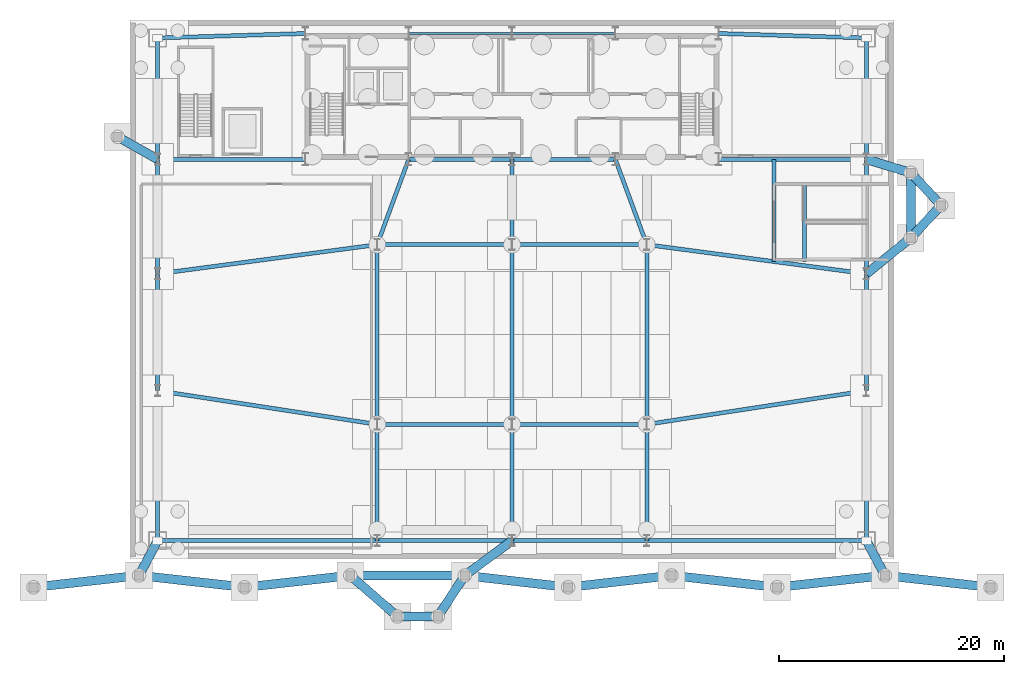
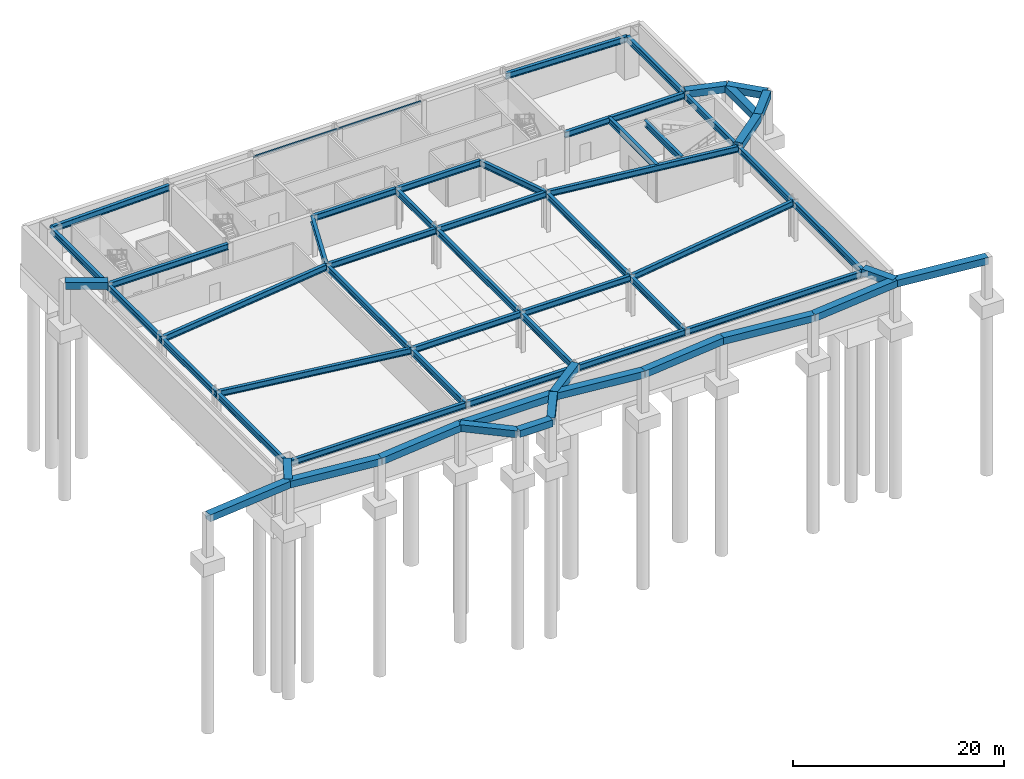
# One storey, part 5 of 12: 60 beams.
"""IFC4 building model written with IfcOpenShell, lengths in metres."""

from ifc_helpers import new_model, si_unit, direction, frame, origin, origin_2d, place, context, subcontext, project, spatial, rectangle, i_section, extrude, source, transform, mapped, material, material_profile, profile_set, type_object, type_shapes, element, save


model = new_model("IFC4")

# Units and contexts
model_context = context("Model", 3, precision=1e-05, world=origin(), true_north=direction((0.0, 1.0)))
body_context = subcontext(model_context, "Body", "Model", "MODEL_VIEW")
ifc_project = project(units=[si_unit("LENGTHUNIT", "METRE"), si_unit("AREAUNIT", "SQUARE_METRE"), si_unit("VOLUMEUNIT", "CUBIC_METRE"), si_unit("PLANEANGLEUNIT", "RADIAN"), si_unit("MASSUNIT", "GRAM", prefix="KILO")], contexts=[model_context])

# Site, building, storey
site_placement = place(None, origin())
site = spatial("IfcSite", under=ifc_project, at=site_placement, CompositionType="ELEMENT")
building_placement = place(site_placement, origin())
building = spatial("IfcBuilding", under=site, at=building_placement, Name="Varnel Quay Broadcast Tower", CompositionType="ELEMENT")
storey_placement = place(building_placement, frame((0.0, 0.0, -9.60009765625)))
storey = spatial("IfcBuildingStorey", under=building, at=storey_placement, Name="B2", CompositionType="ELEMENT", Elevation=-9.60009765625)

# Beams
ifc_material_1 = material(Name="Concrete CSA A23.3 C50/60", Category="concrete")
ifc_material_profile_1 = material_profile(ifc_material_1, rectangle(XDim=0.800048828125, YDim=0.800048828125, at=origin_2d()), Name="RC800X800")
ifc_profile_set_1 = profile_set([ifc_material_profile_1], Name="Concrete CSA A23.3 C50/60")
beam_type_1 = type_object("IfcBeamType", Name="Beam_RC800X800", PredefinedType="BEAM", material=ifc_profile_set_1)
shared_shape_1 = source(origin(), body_context, "Body", "SweptSolid", [
    extrude(rectangle(XDim=0.800048828125, YDim=0.800048828125, at=origin_2d()), origin(), (0.0, 0.0, 1.0), 9.45849609375),
])
for number, where, z_axis, x_axis, name in (
    (1, (-8.60009765625, -2.5, 4.400146484375), (0.993818719908, 0.111015097897, 0.0), (-0.111015097897, 0.993818719908, 0.0), "B2 Quay Promenade Pier Beam PRM01-PRM02"),
    (2, (10.199951171875, -2.5, 4.400146484375), (0.993818719908, 0.111015097897, 0.0), (-0.111015097897, 0.993818719908, 0.0), "B2 Quay Promenade Pier Beam PRM03-PRM04"),
    (3, (48.199951171875, -1.449951171875, 4.400146484375), (0.993818719908, -0.111015097897, 0.0), (0.111015097897, 0.993818719908, 0.0), "B2 Quay Promenade Pier Beam PRM07-PRM08"),
    (4, (67.199951171875, -1.449951171875, 4.400146484375), (0.993818719908, -0.111015097897, 0.0), (0.111015097897, 0.993818719908, 0.0), "B2 Quay Promenade Pier Beam PRM09-PRM10"),
):
    element("IfcBeam", number, at=place(storey_placement, frame(where, z_axis=z_axis, x_axis=x_axis)), inside=storey, type_object=beam_type_1, Name=name, PredefinedType="BEAM", context=body_context, shape_type="MappedRepresentation", body=[
        mapped(shared_shape_1, transform((0.0, 0.0, 0.0), x_axis=(1.0, 0.0, 0.0), y_axis=(0.0, 1.0, 0.0), z_axis=(0.0, 0.0, 1.0), scale=1.0)),
    ])
shared_shape_2 = source(origin(), body_context, "Body", "SweptSolid", [
    extrude(rectangle(XDim=0.800048828125, YDim=0.800048828125, at=origin_2d()), origin(), (0.0, 0.0, 1.0), 9.458251953125),
])
beam_1_placement = place(storey_placement, frame((0.800048828125, -1.449951171875, 4.400146484375), z_axis=(0.993818401786, -0.111017945719, 0.0), x_axis=(0.111017945719, 0.993818401786, 0.0)))
element("IfcBeam", 5, at=beam_1_placement, inside=storey, type_object=beam_type_1, Name="B2 Quay Promenade Pier Beam PRM02-PRM03", PredefinedType="BEAM", context=body_context, shape_type="MappedRepresentation", body=[
    mapped(shared_shape_2, transform((0.0, 0.0, 0.0), x_axis=(1.0, 0.0, 0.0), y_axis=(0.0, 1.0, 0.0), z_axis=(0.0, 0.0, 1.0), scale=1.0)),
])
shared_shape_3 = source(origin(), body_context, "Body", "SweptSolid", [
    extrude(rectangle(XDim=0.800048828125, YDim=0.800048828125, at=origin_2d()), origin(), (0.0, 0.0, 1.0), 10.199951171875),
])
beam_2_placement = place(storey_placement, frame((19.60009765625, -1.449951171875, 4.400146484375), z_axis=(1.0, 0.0, 0.0), x_axis=(0.0, 1.0, 0.0)))
element("IfcBeam", 6, at=beam_2_placement, inside=storey, type_object=beam_type_1, Name="B2 Quay Promenade Pier Beam PRM04-PRM05", PredefinedType="BEAM", context=body_context, shape_type="MappedRepresentation", body=[
    mapped(shared_shape_3, transform((0.0, 0.0, 0.0), x_axis=(1.0, 0.0, 0.0), y_axis=(0.0, 1.0, 0.0), z_axis=(0.0, 0.0, 1.0), scale=1.0)),
])
shared_shape_4 = source(origin(), body_context, "Body", "SweptSolid", [
    extrude(rectangle(XDim=0.800048828125, YDim=0.800048828125, at=origin_2d()), origin(), (0.0, 0.0, 1.0), 9.259765625),
])
for number, where, z_axis, x_axis, name in (
    (7, (29.800048828125, -1.449951171875, 4.400146484375), (0.993549403514, -0.11340010043, 0.0), (0.11340010043, 0.993549403514, 0.0), "B2 Quay Promenade Pier Beam PRM05-PRM06"),
    (8, (39.0, -2.5, 4.400146484375), (0.993549403514, 0.11340010043, 0.0), (-0.11340010043, 0.993549403514, 0.0), "B2 Quay Promenade Pier Beam PRM06-PRM07"),
):
    element("IfcBeam", number, at=place(storey_placement, frame(where, z_axis=z_axis, x_axis=x_axis)), inside=storey, type_object=beam_type_1, Name=name, PredefinedType="BEAM", context=body_context, shape_type="MappedRepresentation", body=[
        mapped(shared_shape_4, transform((0.0, 0.0, 0.0), x_axis=(1.0, 0.0, 0.0), y_axis=(0.0, 1.0, 0.0), z_axis=(0.0, 0.0, 1.0), scale=1.0)),
    ])
shared_shape_5 = source(origin(), body_context, "Body", "SweptSolid", [
    extrude(rectangle(XDim=0.800048828125, YDim=0.800048828125, at=origin_2d()), origin(), (0.0, 0.0, 1.0), 9.6572265625),
])
beam_3_placement = place(storey_placement, frame((57.60009765625, -2.5, 4.400146484375), z_axis=(0.994070965935, 0.108733227143, 0.0), x_axis=(-0.108733227143, 0.994070965935, 0.0)))
element("IfcBeam", 9, at=beam_3_placement, inside=storey, type_object=beam_type_1, Name="B2 Quay Promenade Pier Beam PRM08-PRM09", PredefinedType="BEAM", context=body_context, shape_type="MappedRepresentation", body=[
    mapped(shared_shape_5, transform((0.0, 0.0, 0.0), x_axis=(1.0, 0.0, 0.0), y_axis=(0.0, 1.0, 0.0), z_axis=(0.0, 0.0, 1.0), scale=1.0)),
])
shared_shape_6 = source(origin(), body_context, "Body", "SweptSolid", [
    extrude(rectangle(XDim=0.800048828125, YDim=0.800048828125, at=origin_2d()), origin(), (0.0, 0.0, 1.0), 3.511474609375),
])
for number, where, z_axis, x_axis, name in (
    (10, (0.800048828125, -1.449951171875, 4.400146484375), (0.469844712392, 0.882749084529, 0.0), (-0.882749084529, 0.469844712392, 0.0), "B2 Exterior Pier Frame Tie PRM02"),
    (11, (67.199951171875, -1.449951171875, 4.400146484375), (-0.469844712392, 0.882749084529, 0.0), (-0.882749084529, -0.469844712392, 0.0), "B2 Exterior Pier Frame Tie PRM09"),
):
    element("IfcBeam", number, at=place(storey_placement, frame(where, z_axis=z_axis, x_axis=x_axis)), inside=storey, type_object=beam_type_1, Name=name, PredefinedType="BEAM", context=body_context, shape_type="MappedRepresentation", body=[
        mapped(shared_shape_6, transform((0.0, 0.0, 0.0), x_axis=(1.0, 0.0, 0.0), y_axis=(0.0, 1.0, 0.0), z_axis=(0.0, 0.0, 1.0), scale=1.0)),
    ])
shared_shape_7 = source(origin(), body_context, "Body", "SweptSolid", [
    extrude(rectangle(XDim=0.800048828125, YDim=0.800048828125, at=origin_2d()), origin(), (0.0, 0.0, 1.0), 5.219970703125),
])
beam_4_placement = place(storey_placement, frame((29.800048828125, -1.449951171875, 4.400146484375), z_axis=(0.804584188653, 0.593838600438, 0.0), x_axis=(-0.593838600438, 0.804584188653, 0.0)))
element("IfcBeam", 12, at=beam_4_placement, inside=storey, type_object=beam_type_1, Name="B2 Exterior Pier Frame Tie PRM05", PredefinedType="BEAM", context=body_context, shape_type="MappedRepresentation", body=[
    mapped(shared_shape_7, transform((0.0, 0.0, 0.0), x_axis=(1.0, 0.0, 0.0), y_axis=(0.0, 1.0, 0.0), z_axis=(0.0, 0.0, 1.0), scale=1.0)),
])
shared_shape_8 = source(origin(), body_context, "Body", "SweptSolid", [
    extrude(rectangle(XDim=0.800048828125, YDim=0.800048828125, at=origin_2d()), origin(), (0.0, 0.0, 1.0), 5.083740234375),
])
beam_5_placement = place(storey_placement, frame((69.5, 28.60009765625, 4.400146484375), z_axis=(-0.776993171776, -0.629509023774, 0.0), x_axis=(0.629509023774, -0.776993171776, 0.0)))
element("IfcBeam", 13, at=beam_5_placement, inside=storey, type_object=beam_type_1, Name="B2 Exterior Pier Frame Tie EAPR1", PredefinedType="BEAM", context=body_context, shape_type="MappedRepresentation", body=[
    mapped(shared_shape_8, transform((0.0, 0.0, 0.0), x_axis=(1.0, 0.0, 0.0), y_axis=(0.0, 1.0, 0.0), z_axis=(0.0, 0.0, 1.0), scale=1.0)),
])
shared_shape_9 = source(origin(), body_context, "Body", "SweptSolid", [
    extrude(rectangle(XDim=0.800048828125, YDim=0.800048828125, at=origin_2d()), origin(), (0.0, 0.0, 1.0), 4.128173828125),
])
beam_6_placement = place(storey_placement, frame((69.5, 34.39990234375, 4.400146484375), z_axis=(-0.95680628088, 0.290726230101, 0.0), x_axis=(-0.290726230101, -0.95680628088, 0.0)))
element("IfcBeam", 14, at=beam_6_placement, inside=storey, type_object=beam_type_1, Name="B2 Exterior Pier Frame Tie EAPR2", PredefinedType="BEAM", context=body_context, shape_type="MappedRepresentation", body=[
    mapped(shared_shape_9, transform((0.0, 0.0, 0.0), x_axis=(1.0, 0.0, 0.0), y_axis=(0.0, 1.0, 0.0), z_axis=(0.0, 0.0, 1.0), scale=1.0)),
])
shared_shape_10 = source(origin(), body_context, "Body", "SweptSolid", [
    extrude(rectangle(XDim=0.800048828125, YDim=0.800048828125, at=origin_2d()), origin(), (0.0, 0.0, 1.0), 4.07470703125),
])
beam_7_placement = place(storey_placement, frame((-1.10009765625, 37.60009765625, 4.400146484375), z_axis=(0.871250514853, -0.490838609289, 0.0), x_axis=(0.490838609289, 0.871250514853, 0.0)))
element("IfcBeam", 15, at=beam_7_placement, inside=storey, type_object=beam_type_1, Name="B2 Exterior Pier Frame Tie WEXT1", PredefinedType="BEAM", context=body_context, shape_type="MappedRepresentation", body=[
    mapped(shared_shape_10, transform((0.0, 0.0, 0.0), x_axis=(1.0, 0.0, 0.0), y_axis=(0.0, 1.0, 0.0), z_axis=(0.0, 0.0, 1.0), scale=1.0)),
])
shared_shape_11 = source(origin(), body_context, "Body", "SweptSolid", [
    extrude(rectangle(XDim=0.800048828125, YDim=0.800048828125, at=origin_2d()), origin(), (0.0, 0.0, 1.0), 3.599853515625),
])
beam_8_placement = place(storey_placement, frame((23.800048828125, -5.10009765625, 4.400146484375), z_axis=(1.0, 0.0, 0.0), x_axis=(0.0, 1.0, 0.0)))
element("IfcBeam", 16, at=beam_8_placement, inside=storey, type_object=beam_type_1, Name="B2 Quay Ramp Pier Beam QRMP1-QRMP2", PredefinedType="BEAM", context=body_context, shape_type="MappedRepresentation", body=[
    mapped(shared_shape_11, transform((0.0, 0.0, 0.0), x_axis=(1.0, 0.0, 0.0), y_axis=(0.0, 1.0, 0.0), z_axis=(0.0, 0.0, 1.0), scale=1.0)),
])
shared_shape_12 = source(origin(), body_context, "Body", "SweptSolid", [
    extrude(rectangle(XDim=0.800048828125, YDim=0.800048828125, at=origin_2d()), origin(), (0.0, 0.0, 1.0), 5.564453125),
])
beam_9_placement = place(storey_placement, frame((23.800048828125, -5.10009765625, 4.400146484375), z_axis=(-0.754782128419, 0.655975562517, 0.0), x_axis=(-0.655975562517, -0.754782128419, 0.0)))
element("IfcBeam", 17, at=beam_9_placement, inside=storey, type_object=beam_type_1, Name="B2 Quay Ramp Pier Beam QRMP1-PRM04", PredefinedType="BEAM", context=body_context, shape_type="MappedRepresentation", body=[
    mapped(shared_shape_12, transform((0.0, 0.0, 0.0), x_axis=(1.0, 0.0, 0.0), y_axis=(0.0, 1.0, 0.0), z_axis=(0.0, 0.0, 1.0), scale=1.0)),
])
shared_shape_13 = source(origin(), body_context, "Body", "SweptSolid", [
    extrude(rectangle(XDim=0.800048828125, YDim=0.800048828125, at=origin_2d()), origin(), (0.0, 0.0, 1.0), 4.36865234375),
])
beam_10_placement = place(storey_placement, frame((27.39990234375, -5.10009765625, 4.400146484375), z_axis=(0.549414280522, 0.835550087283, 0.0), x_axis=(-0.835550087283, 0.549414280522, 0.0)))
element("IfcBeam", 18, at=beam_10_placement, inside=storey, type_object=beam_type_1, Name="B2 Quay Ramp Pier Beam QRMP2-PRM05", PredefinedType="BEAM", context=body_context, shape_type="MappedRepresentation", body=[
    mapped(shared_shape_13, transform((0.0, 0.0, 0.0), x_axis=(1.0, 0.0, 0.0), y_axis=(0.0, 1.0, 0.0), z_axis=(0.0, 0.0, 1.0), scale=1.0)),
])
shared_shape_14 = source(origin(), body_context, "Body", "SweptSolid", [
    extrude(rectangle(XDim=0.800048828125, YDim=0.800048828125, at=origin_2d()), origin(), (0.0, 0.0, 1.0), 5.7998046875),
])
beam_11_placement = place(storey_placement, frame((69.5, 28.60009765625, 4.400146484375), z_axis=(0.0, 1.0, 0.0), x_axis=(-1.0, 0.0, 0.0)))
element("IfcBeam", 19, at=beam_11_placement, inside=storey, type_object=beam_type_1, Name="B2 East Apron Pier Beam EAPR1-EAPR2", PredefinedType="BEAM", context=body_context, shape_type="MappedRepresentation", body=[
    mapped(shared_shape_14, transform((0.0, 0.0, 0.0), x_axis=(1.0, 0.0, 0.0), y_axis=(0.0, 1.0, 0.0), z_axis=(0.0, 0.0, 1.0), scale=1.0)),
])
shared_shape_15 = source(origin(), body_context, "Body", "SweptSolid", [
    extrude(rectangle(XDim=0.800048828125, YDim=0.800048828125, at=origin_2d()), origin(), (0.0, 0.0, 1.0), 3.962158203125),
])
type_shapes(beam_type_1, [shared_shape_1, shared_shape_2, shared_shape_3, shared_shape_4, shared_shape_5, shared_shape_6, shared_shape_7, shared_shape_8, shared_shape_9, shared_shape_10, shared_shape_11, shared_shape_12, shared_shape_13, shared_shape_14, shared_shape_15])
for number, where, z_axis, x_axis, name in (
    (20, (69.5, 28.60009765625, 4.400146484375), (0.681424218655, 0.731888676118, 0.0), (-0.731888676118, 0.681424218655, 0.0), "B2 East Apron Pier Beam EAPR1-EAPR3"),
    (21, (69.5, 34.39990234375, 4.400146484375), (0.681424218655, -0.731888676118, 0.0), (0.731888676118, 0.681424218655, 0.0), "B2 East Apron Pier Beam EAPR2-EAPR3"),
):
    element("IfcBeam", number, at=place(storey_placement, frame(where, z_axis=z_axis, x_axis=x_axis)), inside=storey, type_object=beam_type_1, Name=name, PredefinedType="BEAM", context=body_context, shape_type="MappedRepresentation", body=[
        mapped(shared_shape_15, transform((0.0, 0.0, 0.0), x_axis=(1.0, 0.0, 0.0), y_axis=(0.0, 1.0, 0.0), z_axis=(0.0, 0.0, 1.0), scale=1.0)),
    ])
ifc_material_2 = material(Name="Structural Steel CSA G40.21 350W", Category="steel")
ifc_material_profile_2 = material_profile(ifc_material_2, i_section(OverallWidth=0.35498046875, OverallDepth=0.695068359375, WebThickness=0.015380859375, FlangeThickness=0.02490234375, FilletRadius=0.01806640625, at=origin_2d()), Name="W690X217")
ifc_profile_set_2 = profile_set([ifc_material_profile_2], Name="Structural Steel CSA G40.21 350W")
beam_type_2 = type_object("IfcBeamType", Name="Girder_W690X217", PredefinedType="BEAM", material=ifc_profile_set_2)
shared_shape_16 = source(origin(), body_context, "Body", "SweptSolid", [
    extrude(i_section(OverallWidth=0.35498046875, OverallDepth=0.695068359375, WebThickness=0.015380859375, FlangeThickness=0.02490234375, FilletRadius=0.01806640625, at=origin_2d()), origin(), (0.0, 0.0, 1.0), 19.510009765625),
])
for number, where, z_axis, x_axis, name in (
    (22, (2.469970703125, 1.64990234375, 4.132568359375), (1.0, 0.0, 0.0), (0.0, 1.0, 0.0), "B2 Girder G-PS1"),
    (23, (46.02001953125, 1.64990234375, 4.132568359375), (1.0, 0.0, 0.0), (0.0, 1.0, 0.0), "B2 Girder G-PS4"),
):
    element("IfcBeam", number, at=place(storey_placement, frame(where, z_axis=z_axis, x_axis=x_axis)), inside=storey, type_object=beam_type_2, Name=name, PredefinedType="BEAM", context=body_context, shape_type="MappedRepresentation", body=[
        mapped(shared_shape_16, transform((0.0, 0.0, 0.0), x_axis=(1.0, 0.0, 0.0), y_axis=(0.0, 1.0, 0.0), z_axis=(0.0, 0.0, 1.0), scale=1.0)),
    ])
shared_shape_17 = source(origin(), body_context, "Body", "SweptSolid", [
    extrude(i_section(OverallWidth=0.35498046875, OverallDepth=0.695068359375, WebThickness=0.015380859375, FlangeThickness=0.02490234375, FilletRadius=0.01806640625, at=origin_2d()), origin(), (0.0, 0.0, 1.0), 11.9599609375),
])
for number, where, z_axis, x_axis, name in (
    (24, (22.02001953125, 1.64990234375, 4.132568359375), (1.0, 0.0, 0.0), (0.0, 1.0, 0.0), "B2 Girder G-PS2"),
    (25, (34.02001953125, 1.64990234375, 4.132568359375), (1.0, 0.0, 0.0), (0.0, 1.0, 0.0), "B2 Girder G-PS3"),
    (26, (22.02001953125, 12.0, 4.132568359375), (1.0, 0.0, 0.0), (0.0, 1.0, 0.0), "B2 Girder G-STC1A"),
    (27, (34.02001953125, 12.0, 4.132568359375), (1.0, 0.0, 0.0), (0.0, 1.0, 0.0), "B2 Girder G-STC1B"),
    (28, (22.02001953125, 28.0, 4.132568359375), (1.0, 0.0, 0.0), (0.0, 1.0, 0.0), "B2 Girder G-STC2"),
    (29, (34.02001953125, 28.0, 4.132568359375), (1.0, 0.0, 0.0), (0.0, 1.0, 0.0), "B2 Girder G-STC3"),
):
    element("IfcBeam", number, at=place(storey_placement, frame(where, z_axis=z_axis, x_axis=x_axis)), inside=storey, type_object=beam_type_2, Name=name, PredefinedType="BEAM", context=body_context, shape_type="MappedRepresentation", body=[
        mapped(shared_shape_17, transform((0.0, 0.0, 0.0), x_axis=(1.0, 0.0, 0.0), y_axis=(0.0, 1.0, 0.0), z_axis=(0.0, 0.0, 1.0), scale=1.0)),
    ])
shared_shape_18 = source(origin(), body_context, "Body", "SweptSolid", [
    extrude(i_section(OverallWidth=0.35498046875, OverallDepth=0.695068359375, WebThickness=0.015380859375, FlangeThickness=0.02490234375, FilletRadius=0.01806640625, at=origin_2d()), origin(), (0.0, 0.0, 1.0), 13.31005859375),
])
for number, where, z_axis, x_axis, name in (
    (30, (2.449951171875, 1.669921875, 4.132568359375), (0.0, 1.0, 0.0), (-1.0, 0.0, 0.0), "B2 Girder G-PW1"),
    (31, (65.550048828125, 1.669921875, 4.132568359375), (0.0, 1.0, 0.0), (-1.0, 0.0, 0.0), "B2 Girder G-PE1"),
):
    element("IfcBeam", number, at=place(storey_placement, frame(where, z_axis=z_axis, x_axis=x_axis)), inside=storey, type_object=beam_type_2, Name=name, PredefinedType="BEAM", context=body_context, shape_type="MappedRepresentation", body=[
        mapped(shared_shape_18, transform((0.0, 0.0, 0.0), x_axis=(1.0, 0.0, 0.0), y_axis=(0.0, 1.0, 0.0), z_axis=(0.0, 0.0, 1.0), scale=1.0)),
    ])
shared_shape_19 = source(origin(), body_context, "Body", "SweptSolid", [
    extrude(i_section(OverallWidth=0.35498046875, OverallDepth=0.695068359375, WebThickness=0.015380859375, FlangeThickness=0.02490234375, FilletRadius=0.01806640625, at=origin_2d()), origin(), (0.0, 0.0, 1.0), 10.35986328125),
])
for number, where, z_axis, x_axis, name in (
    (32, (2.449951171875, 15.02001953125, 4.132568359375), (0.0, 1.0, 0.0), (-1.0, 0.0, 0.0), "B2 Girder G-PW2"),
    (33, (65.550048828125, 15.02001953125, 4.132568359375), (0.0, 1.0, 0.0), (-1.0, 0.0, 0.0), "B2 Girder G-PE2"),
):
    element("IfcBeam", number, at=place(storey_placement, frame(where, z_axis=z_axis, x_axis=x_axis)), inside=storey, type_object=beam_type_2, Name=name, PredefinedType="BEAM", context=body_context, shape_type="MappedRepresentation", body=[
        mapped(shared_shape_19, transform((0.0, 0.0, 0.0), x_axis=(1.0, 0.0, 0.0), y_axis=(0.0, 1.0, 0.0), z_axis=(0.0, 0.0, 1.0), scale=1.0)),
    ])
shared_shape_20 = source(origin(), body_context, "Body", "SweptSolid", [
    extrude(i_section(OverallWidth=0.35498046875, OverallDepth=0.695068359375, WebThickness=0.015380859375, FlangeThickness=0.02490234375, FilletRadius=0.01806640625, at=origin_2d()), origin(), (0.0, 0.0, 1.0), 10.16015625),
])
for number, where, z_axis, x_axis, name in (
    (34, (2.449951171875, 25.419921875, 4.132568359375), (0.0, 1.0, 0.0), (-1.0, 0.0, 0.0), "B2 Girder G-PW3"),
    (35, (65.550048828125, 25.419921875, 4.132568359375), (0.0, 1.0, 0.0), (-1.0, 0.0, 0.0), "B2 Girder G-PE3"),
):
    element("IfcBeam", number, at=place(storey_placement, frame(where, z_axis=z_axis, x_axis=x_axis)), inside=storey, type_object=beam_type_2, Name=name, PredefinedType="BEAM", context=body_context, shape_type="MappedRepresentation", body=[
        mapped(shared_shape_20, transform((0.0, 0.0, 0.0), x_axis=(1.0, 0.0, 0.0), y_axis=(0.0, 1.0, 0.0), z_axis=(0.0, 0.0, 1.0), scale=1.0)),
    ])
shared_shape_21 = source(origin(), body_context, "Body", "SweptSolid", [
    extrude(i_section(OverallWidth=0.35498046875, OverallDepth=0.695068359375, WebThickness=0.015380859375, FlangeThickness=0.02490234375, FilletRadius=0.01806640625, at=origin_2d()), origin(), (0.0, 0.0, 1.0), 10.759765625),
])
for number, where, z_axis, x_axis, name in (
    (36, (2.449951171875, 35.6201171875, 4.132568359375), (0.0, 1.0, 0.0), (-1.0, 0.0, 0.0), "B2 Girder G-PW4"),
    (37, (65.550048828125, 35.6201171875, 4.132568359375), (0.0, 1.0, 0.0), (-1.0, 0.0, 0.0), "B2 Girder G-PE4"),
):
    element("IfcBeam", number, at=place(storey_placement, frame(where, z_axis=z_axis, x_axis=x_axis)), inside=storey, type_object=beam_type_2, Name=name, PredefinedType="BEAM", context=body_context, shape_type="MappedRepresentation", body=[
        mapped(shared_shape_21, transform((0.0, 0.0, 0.0), x_axis=(1.0, 0.0, 0.0), y_axis=(0.0, 1.0, 0.0), z_axis=(0.0, 0.0, 1.0), scale=1.0)),
    ])
shared_shape_22 = source(origin(), body_context, "Body", "SweptSolid", [
    extrude(i_section(OverallWidth=0.35498046875, OverallDepth=0.695068359375, WebThickness=0.015380859375, FlangeThickness=0.02490234375, FilletRadius=0.01806640625, at=origin_2d()), origin(), (0.0, 0.0, 1.0), 13.1162109375),
])
for number, where, z_axis, x_axis, name in (
    (38, (2.469970703125, 46.400634765625, 4.132568359375), (0.999537928818, 0.030396198025, 0.0), (-0.030396198025, 0.999537928818, 0.0), "B2 Girder G-PN1"),
    (39, (52.419921875, 46.79931640625, 4.132568359375), (0.999537928818, -0.030396198025, 0.0), (0.030396198025, 0.999537928818, 0.0), "B2 Girder G-PN2"),
):
    element("IfcBeam", number, at=place(storey_placement, frame(where, z_axis=z_axis, x_axis=x_axis)), inside=storey, type_object=beam_type_2, Name=name, PredefinedType="BEAM", context=body_context, shape_type="MappedRepresentation", body=[
        mapped(shared_shape_22, transform((0.0, 0.0, 0.0), x_axis=(1.0, 0.0, 0.0), y_axis=(0.0, 1.0, 0.0), z_axis=(0.0, 0.0, 1.0), scale=1.0)),
    ])
shared_shape_23 = source(origin(), body_context, "Body", "SweptSolid", [
    extrude(i_section(OverallWidth=0.35498046875, OverallDepth=0.695068359375, WebThickness=0.015380859375, FlangeThickness=0.02490234375, FilletRadius=0.01806640625, at=origin_2d()), origin(), (0.0, 0.0, 1.0), 19.739013671875),
])
for number, where, z_axis, x_axis, name in (
    (40, (2.4697265625, 14.9970703125, 4.132568359375), (0.988428537819, -0.151687262564, 0.0), (0.151687262564, 0.988428537819, 0.0), "B2 Girder G-STA1"),
    (41, (46.019775390625, 12.0029296875, 4.132568359375), (0.988428537819, 0.151687262564, 0.0), (-0.151687262564, 0.988428537819, 0.0), "B2 Girder G-STB1"),
):
    element("IfcBeam", number, at=place(storey_placement, frame(where, z_axis=z_axis, x_axis=x_axis)), inside=storey, type_object=beam_type_2, Name=name, PredefinedType="BEAM", context=body_context, shape_type="MappedRepresentation", body=[
        mapped(shared_shape_23, transform((0.0, 0.0, 0.0), x_axis=(1.0, 0.0, 0.0), y_axis=(0.0, 1.0, 0.0), z_axis=(0.0, 0.0, 1.0), scale=1.0)),
    ])
shared_shape_24 = source(origin(), body_context, "Body", "SweptSolid", [
    extrude(i_section(OverallWidth=0.35498046875, OverallDepth=0.695068359375, WebThickness=0.015380859375, FlangeThickness=0.02490234375, FilletRadius=0.01806640625, at=origin_2d()), origin(), (0.0, 0.0, 1.0), 19.682373046875),
])
for number, where, z_axis, x_axis, name in (
    (42, (2.4697265625, 25.402587890625, 4.132568359375), (0.991272261072, 0.131830589885, 0.0), (-0.131830589885, 0.991272261072, 0.0), "B2 Girder G-STA2"),
    (43, (46.019775390625, 27.997314453125, 4.132568359375), (0.991272261072, -0.131830589885, 0.0), (0.131830589885, 0.991272261072, 0.0), "B2 Girder G-STB2"),
):
    element("IfcBeam", number, at=place(storey_placement, frame(where, z_axis=z_axis, x_axis=x_axis)), inside=storey, type_object=beam_type_2, Name=name, PredefinedType="BEAM", context=body_context, shape_type="MappedRepresentation", body=[
        mapped(shared_shape_24, transform((0.0, 0.0, 0.0), x_axis=(1.0, 0.0, 0.0), y_axis=(0.0, 1.0, 0.0), z_axis=(0.0, 0.0, 1.0), scale=1.0)),
    ])
shared_shape_25 = source(origin(), body_context, "Body", "SweptSolid", [
    extrude(i_section(OverallWidth=0.35498046875, OverallDepth=0.695068359375, WebThickness=0.015380859375, FlangeThickness=0.02490234375, FilletRadius=0.01806640625, at=origin_2d()), origin(), (0.0, 0.0, 1.0), 10.31005859375),
])
for number, where, z_axis, x_axis, name in (
    (44, (22.0, 1.669921875, 4.132568359375), (0.0, 1.0, 0.0), (-1.0, 0.0, 0.0), "B2 Girder G-M1"),
    (45, (34.0, 1.669921875, 4.132568359375), (0.0, 1.0, 0.0), (-1.0, 0.0, 0.0), "B2 Girder G-M2B"),
    (46, (46.0, 1.669921875, 4.132568359375), (0.0, 1.0, 0.0), (-1.0, 0.0, 0.0), "B2 Girder G-M3"),
):
    element("IfcBeam", number, at=place(storey_placement, frame(where, z_axis=z_axis, x_axis=x_axis)), inside=storey, type_object=beam_type_2, Name=name, PredefinedType="BEAM", context=body_context, shape_type="MappedRepresentation", body=[
        mapped(shared_shape_25, transform((0.0, 0.0, 0.0), x_axis=(1.0, 0.0, 0.0), y_axis=(0.0, 1.0, 0.0), z_axis=(0.0, 0.0, 1.0), scale=1.0)),
    ])
shared_shape_26 = source(origin(), body_context, "Body", "SweptSolid", [
    extrude(i_section(OverallWidth=0.35498046875, OverallDepth=0.695068359375, WebThickness=0.015380859375, FlangeThickness=0.02490234375, FilletRadius=0.01806640625, at=origin_2d()), origin(), (0.0, 0.0, 1.0), 15.9599609375),
])
for number, where, z_axis, x_axis, name in (
    (47, (22.0, 12.02001953125, 4.132568359375), (0.0, 1.0, 0.0), (-1.0, 0.0, 0.0), "B2 Girder G-M2"),
    (48, (34.0, 12.02001953125, 4.132568359375), (0.0, 1.0, 0.0), (-1.0, 0.0, 0.0), "B2 Girder G-M2C"),
    (49, (46.0, 12.02001953125, 4.132568359375), (0.0, 1.0, 0.0), (-1.0, 0.0, 0.0), "B2 Girder G-M4"),
):
    element("IfcBeam", number, at=place(storey_placement, frame(where, z_axis=z_axis, x_axis=x_axis)), inside=storey, type_object=beam_type_2, Name=name, PredefinedType="BEAM", context=body_context, shape_type="MappedRepresentation", body=[
        mapped(shared_shape_26, transform((0.0, 0.0, 0.0), x_axis=(1.0, 0.0, 0.0), y_axis=(0.0, 1.0, 0.0), z_axis=(0.0, 0.0, 1.0), scale=1.0)),
    ])
shared_shape_27 = source(origin(), body_context, "Body", "SweptSolid", [
    extrude(i_section(OverallWidth=0.35498046875, OverallDepth=0.695068359375, WebThickness=0.015380859375, FlangeThickness=0.02490234375, FilletRadius=0.01806640625, at=origin_2d()), origin(), (0.0, 0.0, 1.0), 8.0595703125),
])
for number, where, z_axis, x_axis, name in (
    (50, (22.0068359375, 28.018798828125, 4.132568359375), (0.345726415607, 0.938335358788, 0.0), (-0.938335358788, 0.345726415607, 0.0), "B2 Girder G-C1"),
    (51, (45.9931640625, 28.018798828125, 4.132568359375), (-0.345726415607, 0.938335358788, 0.0), (-0.938335358788, -0.345726415607, 0.0), "B2 Girder G-C3"),
):
    element("IfcBeam", number, at=place(storey_placement, frame(where, z_axis=z_axis, x_axis=x_axis)), inside=storey, type_object=beam_type_2, Name=name, PredefinedType="BEAM", context=body_context, shape_type="MappedRepresentation", body=[
        mapped(shared_shape_27, transform((0.0, 0.0, 0.0), x_axis=(1.0, 0.0, 0.0), y_axis=(0.0, 1.0, 0.0), z_axis=(0.0, 0.0, 1.0), scale=1.0)),
    ])
shared_shape_28 = source(origin(), body_context, "Body", "SweptSolid", [
    extrude(i_section(OverallWidth=0.35498046875, OverallDepth=0.695068359375, WebThickness=0.015380859375, FlangeThickness=0.02490234375, FilletRadius=0.01806640625, at=origin_2d()), origin(), (0.0, 0.0, 1.0), 7.56005859375),
])
beam_12_placement = place(storey_placement, frame((34.0, 28.02001953125, 4.132568359375), z_axis=(0.0, 1.0, 0.0), x_axis=(-1.0, 0.0, 0.0)))
element("IfcBeam", 52, at=beam_12_placement, inside=storey, type_object=beam_type_2, Name="B2 Girder G-C2", PredefinedType="BEAM", context=body_context, shape_type="MappedRepresentation", body=[
    mapped(shared_shape_28, transform((0.0, 0.0, 0.0), x_axis=(1.0, 0.0, 0.0), y_axis=(0.0, 1.0, 0.0), z_axis=(0.0, 0.0, 1.0), scale=1.0)),
])
shared_shape_29 = source(origin(), body_context, "Body", "SweptSolid", [
    extrude(i_section(OverallWidth=0.35498046875, OverallDepth=0.695068359375, WebThickness=0.015380859375, FlangeThickness=0.02490234375, FilletRadius=0.01806640625, at=origin_2d()), origin(), (0.0, 0.0, 1.0), 13.110107421875),
])
for number, where, z_axis, x_axis, name in (
    (53, (2.469970703125, 35.60009765625, 4.132568359375), (1.0, 0.0, 0.0), (0.0, 1.0, 0.0), "B2 Girder G-C4"),
    (54, (52.419921875, 35.60009765625, 4.132568359375), (1.0, 0.0, 0.0), (0.0, 1.0, 0.0), "B2 Girder G-C5"),
):
    element("IfcBeam", number, at=place(storey_placement, frame(where, z_axis=z_axis, x_axis=x_axis)), inside=storey, type_object=beam_type_2, Name=name, PredefinedType="BEAM", context=body_context, shape_type="MappedRepresentation", body=[
        mapped(shared_shape_29, transform((0.0, 0.0, 0.0), x_axis=(1.0, 0.0, 0.0), y_axis=(0.0, 1.0, 0.0), z_axis=(0.0, 0.0, 1.0), scale=1.0)),
    ])
shared_shape_30 = source(origin(), body_context, "Body", "SweptSolid", [
    extrude(i_section(OverallWidth=0.35498046875, OverallDepth=0.695068359375, WebThickness=0.015380859375, FlangeThickness=0.02490234375, FilletRadius=0.01806640625, at=origin_2d()), origin(), (0.0, 0.0, 1.0), 9.159912109375),
])
for number, where, z_axis, x_axis, name in (
    (55, (24.820068359375, 35.60009765625, 4.132568359375), (1.0, 0.0, 0.0), (0.0, 1.0, 0.0), "B2 Girder G-CS1"),
    (56, (34.02001953125, 35.60009765625, 4.132568359375), (1.0, 0.0, 0.0), (0.0, 1.0, 0.0), "B2 Girder G-CS2"),
):
    element("IfcBeam", number, at=place(storey_placement, frame(where, z_axis=z_axis, x_axis=x_axis)), inside=storey, type_object=beam_type_2, Name=name, PredefinedType="BEAM", context=body_context, shape_type="MappedRepresentation", body=[
        mapped(shared_shape_30, transform((0.0, 0.0, 0.0), x_axis=(1.0, 0.0, 0.0), y_axis=(0.0, 1.0, 0.0), z_axis=(0.0, 0.0, 1.0), scale=1.0)),
    ])
ifc_material_profile_3 = material_profile(ifc_material_2, i_section(OverallWidth=0.1650390625, OverallDepth=0.200927734375, WebThickness=0.006103515625, FlangeThickness=0.01025390625, FilletRadius=0.010009765625, at=origin_2d()), Name="W200X36")
ifc_profile_set_3 = profile_set([ifc_material_profile_3], Name="Structural Steel CSA G40.21 350W")
beam_type_3 = type_object("IfcBeamType", Name="Beam_W200X36", PredefinedType="LINTEL", material=ifc_profile_set_3)
shared_shape_31 = source(origin(), body_context, "Body", "SweptSolid", [
    extrude(i_section(OverallWidth=0.1650390625, OverallDepth=0.200927734375, WebThickness=0.006103515625, FlangeThickness=0.01025390625, FilletRadius=0.010009765625, at=origin_2d()), origin(), (0.0, 0.0, 1.0), 9.159912109375),
])
type_shapes(beam_type_3, [shared_shape_31])
for number, where, z_axis, x_axis, name in (
    (57, (24.820068359375, 46.800048828125, 4.379638671875), (1.0, 0.0, 0.0), (0.0, 1.0, 0.0), "B2 Core North Portal Lintel W"),
    (58, (34.02001953125, 46.800048828125, 4.379638671875), (1.0, 0.0, 0.0), (0.0, 1.0, 0.0), "B2 Core North Portal Lintel E"),
):
    element("IfcBeam", number, at=place(storey_placement, frame(where, z_axis=z_axis, x_axis=x_axis)), inside=storey, type_object=beam_type_3, Name=name, PredefinedType="LINTEL", context=body_context, shape_type="MappedRepresentation", body=[
        mapped(shared_shape_31, transform((0.0, 0.0, 0.0), x_axis=(1.0, 0.0, 0.0), y_axis=(0.0, 1.0, 0.0), z_axis=(0.0, 0.0, 1.0), scale=1.0)),
    ])
shared_shape_32 = source(origin(), body_context, "Body", "SweptSolid", [
    extrude(i_section(OverallWidth=0.35498046875, OverallDepth=0.695068359375, WebThickness=0.015380859375, FlangeThickness=0.02490234375, FilletRadius=0.01806640625, at=origin_2d()), origin(), (0.0, 0.0, 1.0), 9.06005859375),
])
beam_13_placement = place(storey_placement, frame((57.320068359375, 26.52001953125, 4.132568359375), z_axis=(0.0, 1.0, 0.0), x_axis=(-1.0, 0.0, 0.0)))
element("IfcBeam", 59, at=beam_13_placement, inside=storey, type_object=beam_type_2, Name="B2 Ramp West Header Girder", PredefinedType="BEAM", context=body_context, shape_type="MappedRepresentation", body=[
    mapped(shared_shape_32, transform((0.0, 0.0, 0.0), x_axis=(1.0, 0.0, 0.0), y_axis=(0.0, 1.0, 0.0), z_axis=(0.0, 0.0, 1.0), scale=1.0)),
])
shared_shape_33 = source(origin(), body_context, "Body", "SweptSolid", [
    extrude(i_section(OverallWidth=0.35498046875, OverallDepth=0.695068359375, WebThickness=0.015380859375, FlangeThickness=0.02490234375, FilletRadius=0.01806640625, at=origin_2d()), origin(), (0.0, 0.0, 1.0), 6.9599609375),
])
type_shapes(beam_type_2, [shared_shape_16, shared_shape_17, shared_shape_18, shared_shape_19, shared_shape_20, shared_shape_21, shared_shape_22, shared_shape_23, shared_shape_24, shared_shape_25, shared_shape_26, shared_shape_27, shared_shape_28, shared_shape_29, shared_shape_30, shared_shape_32, shared_shape_33])
beam_14_placement = place(storey_placement, frame((60.0400390625, 26.52001953125, 4.132568359375), z_axis=(0.0, 1.0, 0.0), x_axis=(-1.0, 0.0, 0.0)))
element("IfcBeam", 60, at=beam_14_placement, inside=storey, type_object=beam_type_2, Name="B2 Ramp Landing Header Girder W", PredefinedType="BEAM", context=body_context, shape_type="MappedRepresentation", body=[
    mapped(shared_shape_33, transform((0.0, 0.0, 0.0), x_axis=(1.0, 0.0, 0.0), y_axis=(0.0, 1.0, 0.0), z_axis=(0.0, 0.0, 1.0), scale=1.0)),
])

save(model, "model.ifc")
